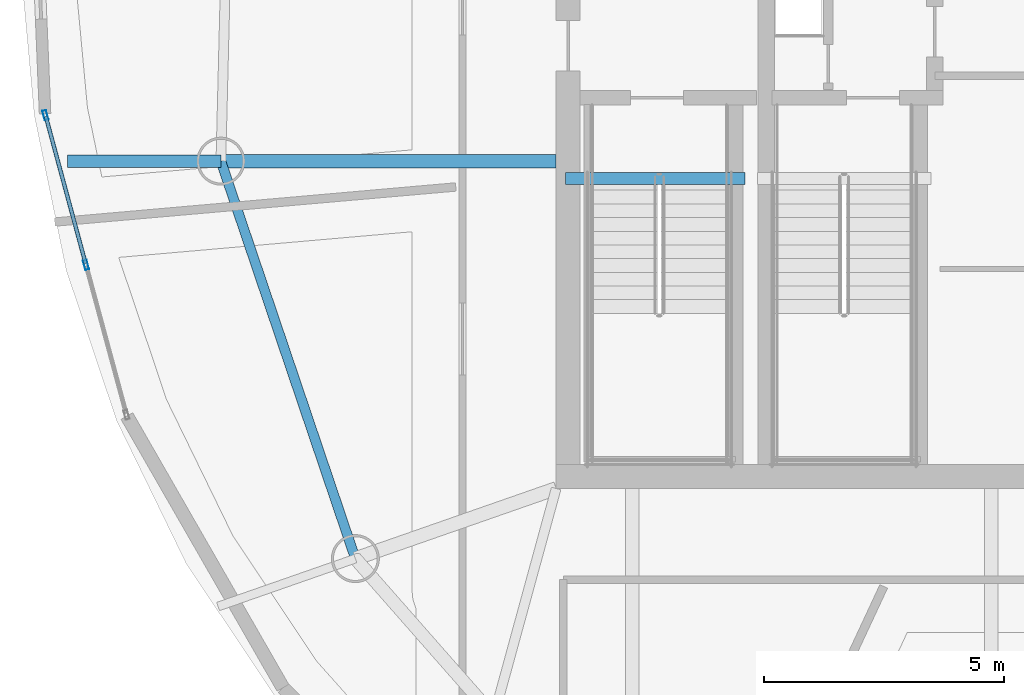
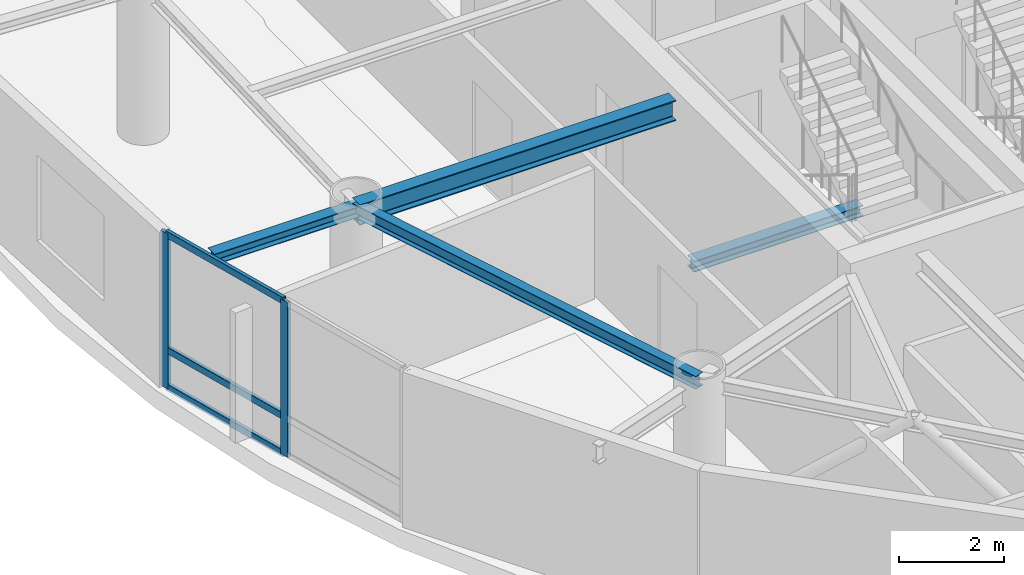
# One storey, part 6 of 20: 5 members, 4 beams, 1 element without a shape of its own.
"""IFC4 building model written with IfcOpenShell, lengths in metres."""

from ifc_helpers import new_model, si_unit, direction, frame, origin, origin_2d, place, context, subcontext, project, spatial, hollow_rectangle, i_section, extrude, material, layer, layer_set, material_profile, profile_set, type_object, element, aggregate, save


model = new_model("IFC4")

# Units and contexts
model_context = context("Model", 3, precision=1e-05, world=origin(), true_north=direction((0.0, 1.0)))
body_context = subcontext(model_context, "Body", "Model", "MODEL_VIEW")
ifc_project = project(units=[si_unit("LENGTHUNIT", "METRE"), si_unit("AREAUNIT", "SQUARE_METRE"), si_unit("VOLUMEUNIT", "CUBIC_METRE"), si_unit("PLANEANGLEUNIT", "RADIAN"), si_unit("MASSUNIT", "GRAM", prefix="KILO")], contexts=[model_context])

# Site, building, storey
site_placement = place(None, origin())
site = spatial("IfcSite", under=ifc_project, at=site_placement, CompositionType="ELEMENT")
building_placement = place(site_placement, origin())
building = spatial("IfcBuilding", under=site, at=building_placement, Name="Bramvorn Convention Spire", CompositionType="ELEMENT")
storey_placement = place(building_placement, frame((0.0, 0.0, 242.050048828125)))
storey = spatial("IfcBuildingStorey", under=building, at=storey_placement, Name="L61", CompositionType="ELEMENT", Elevation=242.050048828125)

# Beams
ifc_material_1 = material(Name="Steel CSA G40.21 Grade 350 (350W)", Category="steel")
ifc_material_profile_1 = material_profile(ifc_material_1, i_section(OverallWidth=0.25390625, OverallDepth=0.2529296875, WebThickness=0.008544921875, FlangeThickness=0.01416015625, FilletRadius=0.011962890625, at=origin_2d()))
ifc_profile_set_1 = profile_set([ifc_material_profile_1], Name="Steel CSA G40.21 Grade 350 (350W) - W250X73")
beam_type_1 = type_object("IfcBeamType", Name="BM-W250X73", PredefinedType="BEAM", material=ifc_profile_set_1)
beam_1_placement = place(storey_placement, frame((19.765380859375, 25.37060546875, 3.45849609375), z_axis=(-1.0, 0.0, 0.0), x_axis=(0.0, -1.0, 0.0)))
element("IfcBeam", 1, at=beam_1_placement, inside=storey, type_object=beam_type_1, Name="L61 slab-edge cantilever tip beam MC12", PredefinedType="BEAM", context=body_context, shape_type="SweptSolid", body=[
    extrude(i_section(OverallWidth=0.25390625, OverallDepth=0.2529296875, WebThickness=0.008544921875, FlangeThickness=0.01416015625, FilletRadius=0.011962890625, at=origin_2d()), origin(), (0.0, 0.0, 1.0), 3.199951171875),
])
beam_2_placement = place(storey_placement, frame((26.949951171875, 25.010009765625, -0.12646484375), z_axis=(1.0, 0.0, 0.0), x_axis=(0.0, 1.0, 0.0)))
element("IfcBeam", 2, at=beam_2_placement, inside=storey, type_object=beam_type_1, Name="L61 ST1 stair arrival header beam", PredefinedType="BEAM", context=body_context, shape_type="SweptSolid", body=[
    extrude(i_section(OverallWidth=0.25390625, OverallDepth=0.2529296875, WebThickness=0.008544921875, FlangeThickness=0.01416015625, FilletRadius=0.011962890625, at=origin_2d()), origin(), (0.0, 0.0, 1.0), 3.739990234375),
])
ifc_material_profile_2 = material_profile(ifc_material_1, i_section(OverallWidth=0.202880859375, OverallDepth=0.302978515625, WebThickness=0.007568359375, FlangeThickness=0.01318359375, FilletRadius=0.013916015625, at=origin_2d()))
ifc_profile_set_2 = profile_set([ifc_material_profile_2], Name="Steel CSA G40.21 Grade 350 (350W) - W310X60")
beam_type_2 = type_object("IfcBeamType", Name="BM-W310X60", PredefinedType="JOIST", material=ifc_profile_set_2)
beam_3_placement = place(storey_placement, frame((19.765380859375, 25.37060546875, 3.473388671875), z_axis=(0.320531023763, -0.947238018032, 0.0), x_axis=(0.947238018032, 0.320531023763, 0.0)))
element("IfcBeam", 3, at=beam_3_placement, inside=storey, type_object=beam_type_2, Name="L61 mega-column ring beam 12", PredefinedType="JOIST", context=body_context, shape_type="SweptSolid", body=[
    extrude(i_section(OverallWidth=0.202880859375, OverallDepth=0.302978515625, WebThickness=0.007568359375, FlangeThickness=0.01318359375, FilletRadius=0.013916015625, at=origin_2d()), origin(), (0.0, 0.0, 1.0), 8.74169921875),
])
ifc_material_profile_3 = material_profile(ifc_material_1, i_section(OverallWidth=0.283935546875, OverallDepth=0.47607421875, WebThickness=0.014892578125, FlangeThickness=0.02392578125, FilletRadius=0.01806640625, at=origin_2d()))
ifc_profile_set_3 = profile_set([ifc_material_profile_3], Name="Steel CSA G40.21 Grade 350 (350W) - W460X158")
beam_type_3 = type_object("IfcBeamType", Name="BM-W460X158", PredefinedType="SPANDREL", material=ifc_profile_set_3)
beam_4_placement = place(storey_placement, frame((26.75, 25.37060546875, 3.386962890625), z_axis=(-1.0, 0.0, 0.0), x_axis=(0.0, -1.0, 0.0)))
element("IfcBeam", 4, at=beam_4_placement, inside=storey, type_object=beam_type_3, Name="L61 radial floor girder MC12", PredefinedType="SPANDREL", context=body_context, shape_type="SweptSolid", body=[
    extrude(i_section(OverallWidth=0.283935546875, OverallDepth=0.47607421875, WebThickness=0.014892578125, FlangeThickness=0.02392578125, FilletRadius=0.01806640625, at=origin_2d()), origin(), (0.0, 0.0, 1.0), 6.984619140625),
])

# Curtain wall, members
ifc_material_2 = material(Name="Anodised Bronze Unitised Curtain Wall", Category="aluminium")
ifc_layer = layer(ifc_material_2, 0.179931640625)
ifc_layer_set = layer_set([ifc_layer], Name="Anodised Bronze Unitised Curtain Wall - CW-OFF-FRIT")
curtain_wall_type = type_object("IfcCurtainWallType", Name="CW-OFF-FRIT", PredefinedType="USERDEFINED", material=ifc_layer_set)
curtain_wall_placement = place(storey_placement, origin())
curtain_wall = element("IfcCurtainWall", 5, at=curtain_wall_placement, inside=storey, type_object=curtain_wall_type, Name="L61 fritted glass curtain wall 17", ObjectType="UNITISED CURTAIN WALL", PredefinedType="USERDEFINED")
ifc_material_3 = material(Name="Anodised Bronze Aluminium 6063-T6", Category="aluminium")
ifc_material_profile_4 = material_profile(ifc_material_3, hollow_rectangle(XDim=0.080078125, YDim=0.199951171875, WallThickness=0.00390625, InnerFilletRadius=0.0009765625, OuterFilletRadius=0.00390625, at=origin_2d()))
ifc_profile_set_4 = profile_set([ifc_material_profile_4], Name="Anodised Bronze Aluminium 6063-T6 - CWM80X200")
member_type_1 = type_object("IfcMemberType", Name="CW-MUL-180", PredefinedType="MULLION", material=ifc_profile_set_4)
member_1_placement = place(storey_placement, frame((16.95458984375, 23.208984375, 0.0), z_axis=(0.0, 0.0, 1.0), x_axis=(-0.965282089931, -0.26120966073, 0.0)))
member_1 = element("IfcMember", 6, at=member_1_placement, type_object=member_type_1, Name="CW3 mullion 2", PredefinedType="MULLION", context=body_context, shape_type="SweptSolid", body=[
    extrude(hollow_rectangle(XDim=0.080078125, YDim=0.199951171875, WallThickness=0.00390625, InnerFilletRadius=0.0009765625, OuterFilletRadius=0.00390625, at=origin_2d()), origin(), (0.0, 0.0, 1.0), 3.625),
])
member_2_placement = place(storey_placement, frame((16.110107421875, 26.329833984375, 0.0), z_axis=(0.0, 0.0, 1.0), x_axis=(-0.965282089931, -0.26120966073, 0.0)))
member_2 = element("IfcMember", 7, at=member_2_placement, type_object=member_type_1, Name="CW3 mullion 3", PredefinedType="MULLION", context=body_context, shape_type="SweptSolid", body=[
    extrude(hollow_rectangle(XDim=0.080078125, YDim=0.199951171875, WallThickness=0.00390625, InnerFilletRadius=0.0009765625, OuterFilletRadius=0.00390625, at=origin_2d()), origin(), (0.0, 0.0, 1.0), 3.625),
])
ifc_material_profile_5 = material_profile(ifc_material_3, hollow_rectangle(XDim=0.080078125, YDim=0.159912109375, WallThickness=0.00390625, InnerFilletRadius=0.0009765625, OuterFilletRadius=0.00390625, at=origin_2d()))
ifc_profile_set_5 = profile_set([ifc_material_profile_5], Name="Anodised Bronze Aluminium 6063-T6 - CWT80X160")
member_type_2 = type_object("IfcMemberType", Name="CW-TRN-150", PredefinedType="USERDEFINED", material=ifc_profile_set_5)
member_3_placement = place(storey_placement, frame((16.94677734375, 23.238037109375, 0.030029296875), z_axis=(-0.261209385328, 0.965282164456, 0.0), x_axis=(-0.965282164456, -0.261209385328, 0.0)))
member_3 = element("IfcMember", 8, at=member_3_placement, type_object=member_type_2, Name="CW3 transom 2.1", ObjectType="TRANSOM", PredefinedType="USERDEFINED", context=body_context, shape_type="SweptSolid", body=[
    extrude(hollow_rectangle(XDim=0.080078125, YDim=0.159912109375, WallThickness=0.00390625, InnerFilletRadius=0.0009765625, OuterFilletRadius=0.00390625, at=origin_2d()), origin(), (0.0, 0.0, 1.0), 3.173095703125),
])
member_4_placement = place(storey_placement, frame((16.94677734375, 23.238037109375, 0.89990234375), z_axis=(-0.261209385328, 0.965282164456, 0.0), x_axis=(-0.965282164456, -0.261209385328, 0.0)))
member_4 = element("IfcMember", 9, at=member_4_placement, type_object=member_type_2, Name="CW3 transom 2.2", ObjectType="TRANSOM", PredefinedType="USERDEFINED", context=body_context, shape_type="SweptSolid", body=[
    extrude(hollow_rectangle(XDim=0.080078125, YDim=0.159912109375, WallThickness=0.00390625, InnerFilletRadius=0.0009765625, OuterFilletRadius=0.00390625, at=origin_2d()), origin(), (0.0, 0.0, 1.0), 3.173095703125),
])
member_5_placement = place(storey_placement, frame((16.94677734375, 23.238037109375, 3.594970703125), z_axis=(-0.261209385328, 0.965282164456, 0.0), x_axis=(-0.965282164456, -0.261209385328, 0.0)))
member_5 = element("IfcMember", 10, at=member_5_placement, type_object=member_type_2, Name="CW3 transom 2.3", ObjectType="TRANSOM", PredefinedType="USERDEFINED", context=body_context, shape_type="SweptSolid", body=[
    extrude(hollow_rectangle(XDim=0.080078125, YDim=0.159912109375, WallThickness=0.00390625, InnerFilletRadius=0.0009765625, OuterFilletRadius=0.00390625, at=origin_2d()), origin(), (0.0, 0.0, 1.0), 3.173095703125),
])
aggregate(curtain_wall, [member_1, member_2, member_3, member_4, member_5])

save(model, "model.ifc")
